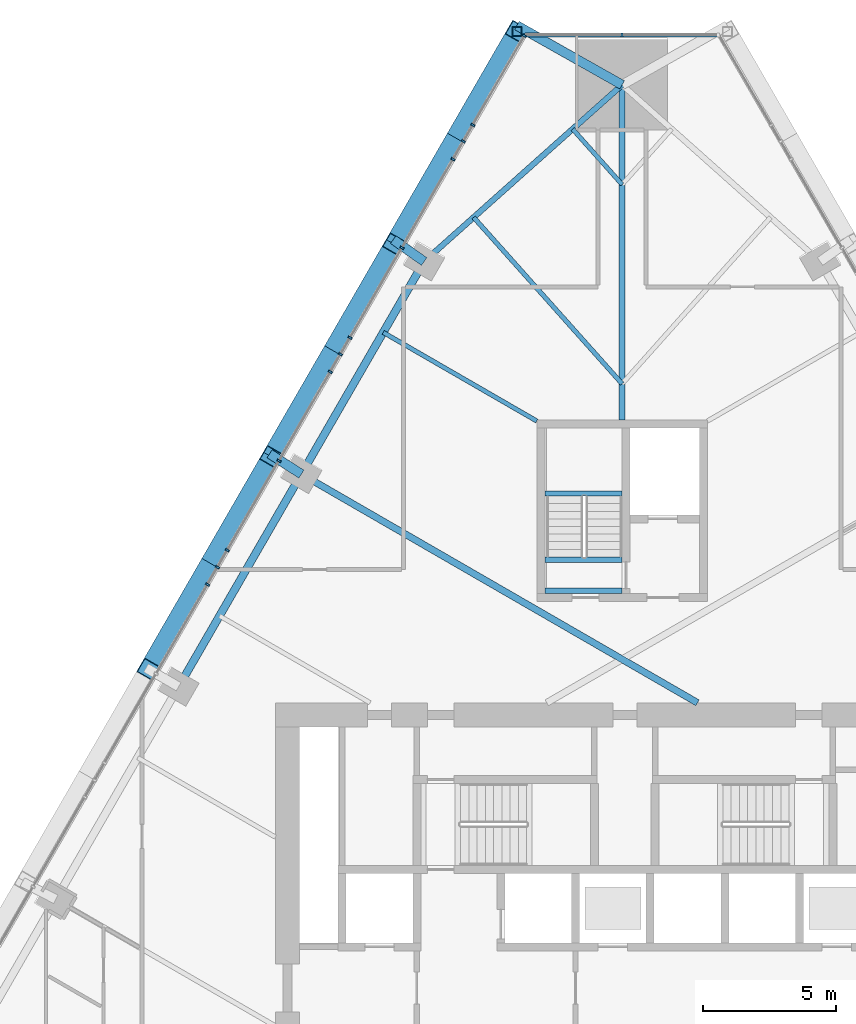
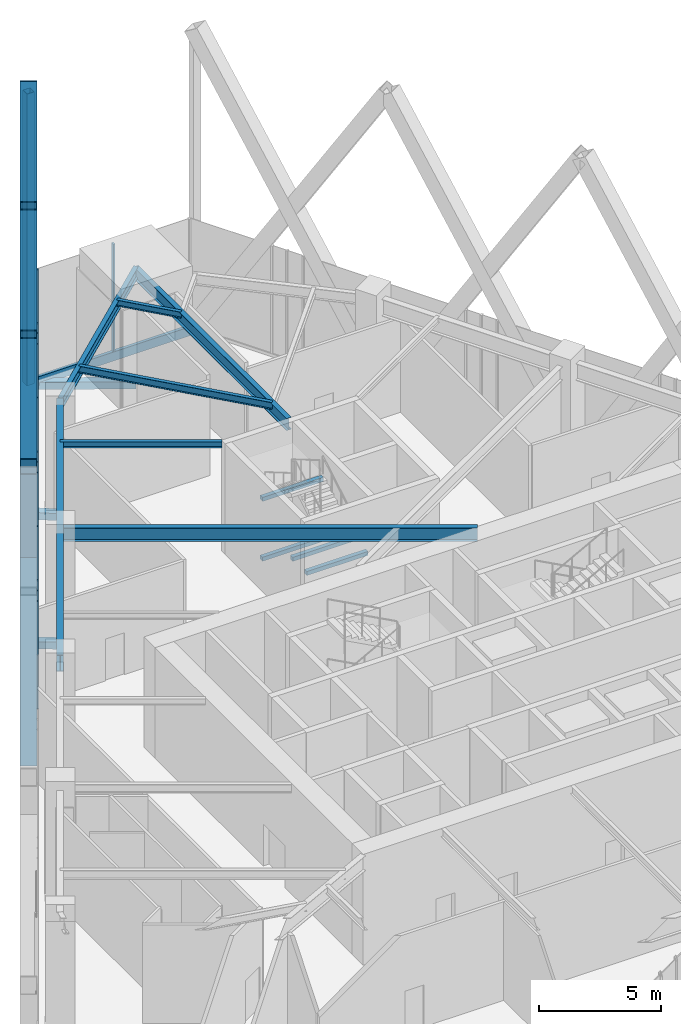
# One storey, part 9 of 21: 24 members, 11 beams, 2 elements without a shape of their own.
"""IFC4 building model written with IfcOpenShell, lengths in metres."""

from ifc_helpers import new_model, si_unit, direction, frame, origin, origin_2d, place, context, subcontext, project, spatial, rectangle, hollow_rectangle, i_section, extrude, material, layer, layer_set, material_profile, profile_set, type_object, element, aggregate, save


model = new_model("IFC4")

# Units and contexts
model_context = context("Model", 3, precision=1e-05, world=origin(), true_north=direction((0.0, 1.0)))
body_context = subcontext(model_context, "Body", "Model", "MODEL_VIEW")
ifc_project = project(units=[si_unit("LENGTHUNIT", "METRE"), si_unit("AREAUNIT", "SQUARE_METRE"), si_unit("VOLUMEUNIT", "CUBIC_METRE"), si_unit("PLANEANGLEUNIT", "RADIAN"), si_unit("MASSUNIT", "GRAM", prefix="KILO")], contexts=[model_context])

# Site, building, storey
site_placement = place(None, origin())
site = spatial("IfcSite", under=ifc_project, at=site_placement, CompositionType="ELEMENT")
building_placement = place(site_placement, origin())
building = spatial("IfcBuilding", under=site, at=building_placement, Name="Firuza Gate Tower and Library", CompositionType="ELEMENT")
storey_placement = place(building_placement, frame((0.0, 0.0, 140.800048828125)))
storey = spatial("IfcBuildingStorey", under=building, at=storey_placement, Name="L32", CompositionType="ELEMENT", Elevation=140.800048828125)

# Members
ifc_material_1 = material(Name="Steel S355", Category="steel")
ifc_material_profile_1 = material_profile(ifc_material_1, hollow_rectangle(XDim=0.699951171875, YDim=0.699951171875, WallThickness=0.030029296875, at=origin_2d()))
ifc_profile_set_1 = profile_set([ifc_material_profile_1], Name="Steel S355")
member_type_1 = type_object("IfcMemberType", Name="BU700x700x30 Lattice brace", PredefinedType="BRACE", material=ifc_profile_set_1)
for number, where, z_axis, x_axis, name in (
    (1, (71.0537109375, 109.171630859375, 0.0), (-0.261560312922, -0.453028121538, 0.852262708206), (0.866021757479, -0.500006315534, 0.0), "Lattice brace W 7.1R"),
    (2, (66.4501953125, 101.1982421875, 0.0), (0.261560312922, 0.453028121538, 0.852262708206), (-0.866021757479, 0.500006315534, 0.0), "Lattice brace W 7.1L"),
    (3, (66.4501953125, 101.1982421875, 0.0), (-0.261549033997, -0.453018740507, 0.852271156126), (0.866026610508, -0.499997909888, 0.0), "Lattice brace W 7.2R"),
    (4, (61.846923828125, 93.22509765625, 0.0), (0.261549033997, 0.453018740507, 0.852271156126), (-0.866026610508, 0.499997909888, 0.0), "Lattice brace W 7.2L"),
    (5, (61.846923828125, 93.22509765625, 0.0), (-0.261560312922, -0.453028121538, 0.852262708206), (0.866021757479, -0.500006315534, 0.0), "Lattice brace W 7.3R"),
    (6, (57.243408203125, 85.251708984375, 0.0), (0.261560312922, 0.453028121538, 0.852262708206), (-0.866021757479, 0.500006315534, 0.0), "Lattice brace W 7.3L"),
):
    element("IfcMember", number, at=place(storey_placement, frame(where, z_axis=z_axis, x_axis=x_axis)), inside=storey, type_object=member_type_1, Name=name, PredefinedType="BRACE", context=body_context, shape_type="SweptSolid", body=[
        extrude(hollow_rectangle(XDim=0.699951171875, YDim=0.699951171875, WallThickness=0.030029296875, at=origin_2d()), origin(), (0.0, 0.0, 1.0), 17.60009765625),
    ])

# Curtain wall, member
ifc_material_2 = material(Name="Aluminium 6063-T6", Category="aluminium")
ifc_layer_1 = layer(ifc_material_2, 0.14990234375)
ifc_layer_set_1 = layer_set([ifc_layer_1], Name="Corner curtain wall, chamfers")
curtain_wall_type_1 = type_object("IfcCurtainWallType", Name="Corner curtain wall, chamfers", PredefinedType="NOTDEFINED", material=ifc_layer_set_1)
placement = place(storey_placement, origin())
curtain_wall_1 = element("IfcCurtainWall", 7, at=placement, inside=storey, type_object=curtain_wall_type_1, Name="CW4 L32 N corner", PredefinedType="NOTDEFINED")
ifc_material_3 = material(Name="Aluminium 6063-T6", Category="aluminium")
ifc_material_profile_2 = material_profile(ifc_material_3, rectangle(XDim=0.14990234375, YDim=0.080078125, at=origin_2d()))
ifc_profile_set_2 = profile_set([ifc_material_profile_2], Name="Aluminium 6063-T6")
member_type_2 = type_object("IfcMemberType", Name="Curtain wall mullion 80x150", PredefinedType="MULLION", material=ifc_profile_set_2)
member_1_placement = place(storey_placement, frame((75.0, 109.046630859375, 0.14990234375), z_axis=(0.0, 0.0, 1.0), x_axis=(0.0, -1.0, 0.0)))
member_1 = element("IfcMember", 8, at=member_1_placement, type_object=member_type_2, Name="Mullion", PredefinedType="MULLION", context=body_context, shape_type="SweptSolid", body=[
    extrude(rectangle(XDim=0.14990234375, YDim=0.080078125, at=origin_2d()), origin(), (0.0, 0.0, 1.0), 5.400146484375),
])

# Curtain wall, members
ifc_material_4 = material(Name="Aluminium 6063-T6", Category="aluminium")
ifc_layer_2 = layer(ifc_material_4, 0.14990234375)
ifc_layer_set_2 = layer_set([ifc_layer_2], Name="Unitised curtain wall, offices")
curtain_wall_type_2 = type_object("IfcCurtainWallType", Name="Unitised curtain wall, offices", PredefinedType="NOTDEFINED", material=ifc_layer_set_2)
curtain_wall_2 = element("IfcCurtainWall", 9, at=placement, inside=storey, type_object=curtain_wall_type_2, Name="CW1 L32 W face", PredefinedType="NOTDEFINED")
member_2_placement = place(storey_placement, frame((71.336669921875, 109.011962890625, 0.14990234375), z_axis=(0.0, 0.0, 1.0), x_axis=(0.866025403784, -0.5, 0.0)))
member_2 = element("IfcMember", 10, at=member_2_placement, type_object=member_type_2, Name="Mullion", PredefinedType="MULLION", context=body_context, shape_type="SweptSolid", body=[
    extrude(rectangle(XDim=0.14990234375, YDim=0.080078125, at=origin_2d()), origin(), (0.0, 0.0, 1.0), 5.400146484375),
])
member_3_placement = place(storey_placement, frame((69.051513671875, 105.0537109375, 0.14990234375), z_axis=(0.0, 0.0, 1.0), x_axis=(0.866025403784, -0.5, 0.0)))
member_3 = element("IfcMember", 11, at=member_3_placement, type_object=member_type_2, Name="Mullion", PredefinedType="MULLION", context=body_context, shape_type="SweptSolid", body=[
    extrude(rectangle(XDim=0.14990234375, YDim=0.080078125, at=origin_2d()), origin(), (0.0, 0.0, 1.0), 5.400146484375),
])
member_4_placement = place(storey_placement, frame((66.74609375, 101.060791015625, 0.14990234375), z_axis=(0.0, 0.0, 1.0), x_axis=(0.866025403784, -0.5, 0.0)))
member_4 = element("IfcMember", 12, at=member_4_placement, type_object=member_type_2, Name="Mullion", PredefinedType="MULLION", context=body_context, shape_type="SweptSolid", body=[
    extrude(rectangle(XDim=0.14990234375, YDim=0.080078125, at=origin_2d()), origin(), (0.0, 0.0, 1.0), 5.400146484375),
])
member_5_placement = place(storey_placement, frame((64.44091796875, 97.06787109375, 0.14990234375), z_axis=(0.0, 0.0, 1.0), x_axis=(0.866025403784, -0.5, 0.0)))
member_5 = element("IfcMember", 13, at=member_5_placement, type_object=member_type_2, Name="Mullion", PredefinedType="MULLION", context=body_context, shape_type="SweptSolid", body=[
    extrude(rectangle(XDim=0.14990234375, YDim=0.080078125, at=origin_2d()), origin(), (0.0, 0.0, 1.0), 5.400146484375),
])
member_6_placement = place(storey_placement, frame((62.135498046875, 93.074951171875, 0.14990234375), z_axis=(0.0, 0.0, 1.0), x_axis=(0.866025403784, -0.5, 0.0)))
member_6 = element("IfcMember", 14, at=member_6_placement, type_object=member_type_2, Name="Mullion", PredefinedType="MULLION", context=body_context, shape_type="SweptSolid", body=[
    extrude(rectangle(XDim=0.14990234375, YDim=0.080078125, at=origin_2d()), origin(), (0.0, 0.0, 1.0), 5.400146484375),
])
member_7_placement = place(storey_placement, frame((59.830322265625, 89.08203125, 0.14990234375), z_axis=(0.0, 0.0, 1.0), x_axis=(0.866025403784, -0.5, 0.0)))
member_7 = element("IfcMember", 15, at=member_7_placement, type_object=member_type_2, Name="Mullion", PredefinedType="MULLION", context=body_context, shape_type="SweptSolid", body=[
    extrude(rectangle(XDim=0.14990234375, YDim=0.080078125, at=origin_2d()), origin(), (0.0, 0.0, 1.0), 5.400146484375),
])
member_8_placement = place(storey_placement, frame((69.404052734375, 105.664306640625, 0.14990234375), z_axis=(0.0, 0.0, 1.0), x_axis=(0.866025403784, -0.5, 0.0)))
member_8 = element("IfcMember", 16, at=member_8_placement, type_object=member_type_2, Name="Mullion", PredefinedType="MULLION", context=body_context, shape_type="SweptSolid", body=[
    extrude(rectangle(XDim=0.14990234375, YDim=0.080078125, at=origin_2d()), origin(), (0.0, 0.0, 1.0), 5.400146484375),
])
member_9_placement = place(storey_placement, frame((68.662841796875, 104.380615234375, 0.14990234375), z_axis=(0.0, 0.0, 1.0), x_axis=(0.866025403784, -0.5, 0.0)))
member_9 = element("IfcMember", 17, at=member_9_placement, type_object=member_type_2, Name="Mullion", PredefinedType="MULLION", context=body_context, shape_type="SweptSolid", body=[
    extrude(rectangle(XDim=0.14990234375, YDim=0.080078125, at=origin_2d()), origin(), (0.0, 0.0, 1.0), 5.400146484375),
])
member_10_placement = place(storey_placement, frame((64.800537109375, 97.691162109375, 0.14990234375), z_axis=(0.0, 0.0, 1.0), x_axis=(0.866025403784, -0.5, 0.0)))
member_10 = element("IfcMember", 18, at=member_10_placement, type_object=member_type_2, Name="Mullion", PredefinedType="MULLION", context=body_context, shape_type="SweptSolid", body=[
    extrude(rectangle(XDim=0.14990234375, YDim=0.080078125, at=origin_2d()), origin(), (0.0, 0.0, 1.0), 5.400146484375),
])
member_11_placement = place(storey_placement, frame((64.059326171875, 96.4072265625, 0.14990234375), z_axis=(0.0, 0.0, 1.0), x_axis=(0.866025403784, -0.5, 0.0)))
member_11 = element("IfcMember", 19, at=member_11_placement, type_object=member_type_2, Name="Mullion", PredefinedType="MULLION", context=body_context, shape_type="SweptSolid", body=[
    extrude(rectangle(XDim=0.14990234375, YDim=0.080078125, at=origin_2d()), origin(), (0.0, 0.0, 1.0), 5.400146484375),
])
member_12_placement = place(storey_placement, frame((60.197265625, 89.7177734375, 0.14990234375), z_axis=(0.0, 0.0, 1.0), x_axis=(0.866025403784, -0.5, 0.0)))
member_12 = element("IfcMember", 20, at=member_12_placement, type_object=member_type_2, Name="Mullion", PredefinedType="MULLION", context=body_context, shape_type="SweptSolid", body=[
    extrude(rectangle(XDim=0.14990234375, YDim=0.080078125, at=origin_2d()), origin(), (0.0, 0.0, 1.0), 5.400146484375),
])
member_13_placement = place(storey_placement, frame((59.4560546875, 88.43408203125, 0.14990234375), z_axis=(0.0, 0.0, 1.0), x_axis=(0.866025403784, -0.5, 0.0)))
member_13 = element("IfcMember", 21, at=member_13_placement, type_object=member_type_2, Name="Mullion", PredefinedType="MULLION", context=body_context, shape_type="SweptSolid", body=[
    extrude(rectangle(XDim=0.14990234375, YDim=0.080078125, at=origin_2d()), origin(), (0.0, 0.0, 1.0), 5.400146484375),
])
aggregate(curtain_wall_2, [member_2, member_3, member_4, member_5, member_6, member_7, member_8, member_9, member_10, member_11, member_12, member_13])

# Member
ifc_material_5 = material(Name="Aluminium 6063-T6", Category="aluminium")
ifc_material_profile_3 = material_profile(ifc_material_5, rectangle(XDim=0.14990234375, YDim=0.449951171875, at=origin_2d()))
ifc_profile_set_3 = profile_set([ifc_material_profile_3], Name="Aluminium 6063-T6")
member_type_3 = type_object("IfcMemberType", Name="Curtain wall transom 450x150", PredefinedType="USERDEFINED", material=ifc_profile_set_3)
member_14_placement = place(storey_placement, frame((78.643310546875, 109.046630859375, -0.074951171875), z_axis=(-1.0, 0.0, 0.0), x_axis=(0.0, -1.0, 0.0)))
member_14 = element("IfcMember", 22, at=member_14_placement, type_object=member_type_3, Name="Transom", ObjectType="TRANSOM", PredefinedType="USERDEFINED", context=body_context, shape_type="SweptSolid", body=[
    extrude(rectangle(XDim=0.14990234375, YDim=0.449951171875, at=origin_2d()), origin(), (0.0, 0.0, 1.0), 7.28662109375),
])

aggregate(curtain_wall_1, [member_1, member_14])

# Members
ifc_material_6 = material(Name="Steel S355", Category="steel")
ifc_material_profile_4 = material_profile(ifc_material_6, hollow_rectangle(XDim=0.355712890625, YDim=0.355712890625, WallThickness=0.014892578125, at=origin_2d()))
ifc_profile_set_4 = profile_set([ifc_material_profile_4], Name="Steel S355")
member_type_4 = type_object("IfcMemberType", Name="HSS356x356x16 Lattice corner stile", PredefinedType="BRACE", material=ifc_profile_set_4)
member_15_placement = place(storey_placement, frame((71.0537109375, 109.171630859375, -0.14013671875), z_axis=(0.0, 0.0, 1.0), x_axis=(1.0, 0.0, 0.0)))
element("IfcMember", 23, at=member_15_placement, inside=storey, type_object=member_type_4, Name="Lattice corner stile W 7.A", PredefinedType="BRACE", context=body_context, shape_type="SweptSolid", body=[
    extrude(hollow_rectangle(XDim=0.355712890625, YDim=0.355712890625, WallThickness=0.014892578125, at=origin_2d()), origin(), (0.0, 0.0, 1.0), 14.64013671875),
])
ifc_material_7 = material(Name="Steel S355", Category="steel")
ifc_material_profile_5 = material_profile(ifc_material_7, hollow_rectangle(XDim=0.355712890625, YDim=0.355712890625, WallThickness=0.014892578125, at=origin_2d()))
ifc_profile_set_5 = profile_set([ifc_material_profile_5], Name="Steel S355")
member_type_5 = type_object("IfcMemberType", Name="HSS356x356x16 Lattice node tie", PredefinedType="BRACE", material=ifc_profile_set_5)
member_16_placement = place(storey_placement, frame((62.97265625, 92.574951171875, -0.320068359375), z_axis=(-0.84189521683, 0.539641032427, 0.0), x_axis=(-0.539641032427, -0.84189521683, 0.0)))
element("IfcMember", 24, at=member_16_placement, inside=storey, type_object=member_type_5, Name="Lattice node tie W L32 145", PredefinedType="BRACE", context=body_context, shape_type="SweptSolid", body=[
    extrude(hollow_rectangle(XDim=0.355712890625, YDim=0.355712890625, WallThickness=0.014892578125, at=origin_2d()), origin(), (0.0, 0.0, 1.0), 1.4150390625),
])
member_17_placement = place(storey_placement, frame((67.576171875, 100.54833984375, -0.320068359375), z_axis=(-0.816166405739, 0.577816924417, 0.0), x_axis=(-0.577816924417, -0.816166405739, 0.0)))
element("IfcMember", 25, at=member_17_placement, inside=storey, type_object=member_type_5, Name="Lattice node tie W L32 146", PredefinedType="BRACE", context=body_context, shape_type="SweptSolid", body=[
    extrude(hollow_rectangle(XDim=0.355712890625, YDim=0.355712890625, WallThickness=0.014892578125, at=origin_2d()), origin(), (0.0, 0.0, 1.0), 1.419677734375),
])
member_18_placement = place(storey_placement, frame((75.0, 107.171630859375, -0.320068359375), z_axis=(-0.87088977596, 0.491478380123, 0.0), x_axis=(-0.491478380123, -0.87088977596, 0.0)))
element("IfcMember", 26, at=member_18_placement, inside=storey, type_object=member_type_5, Name="Lattice node tie W L32 147", PredefinedType="BRACE", context=body_context, shape_type="SweptSolid", body=[
    extrude(hollow_rectangle(XDim=0.355712890625, YDim=0.355712890625, WallThickness=0.014892578125, at=origin_2d()), origin(), (0.0, 0.0, 1.0), 4.53125),
])

# Beams
ifc_material_8 = material(Name="Concrete C35/45", Category="concrete")
ifc_material_profile_6 = material_profile(ifc_material_8, rectangle(XDim=0.199951171875, YDim=0.199951171875, at=origin_2d()))
ifc_profile_set_6 = profile_set([ifc_material_profile_6], Name="Concrete C35/45")
beam_type_1 = type_object("IfcBeamType", Name="Stair landing bearer 200x200", PredefinedType="BEAM", material=ifc_profile_set_6)
for number, where, z_axis, x_axis, name in (
    (27, (75.0, 91.85009765625, 1.199951171875), (-1.0, 0.0, 0.0), (0.0, -1.0, 0.0), "Landing bearer L32 stair 3"),
    (28, (75.0, 89.3701171875, 2.699951171875), (-1.0, 0.0, 0.0), (0.0, -1.0, 0.0), "Landing bearer L32 stair 3"),
    (29, (75.0, 88.199951171875, 2.699951171875), (-1.0, 0.0, 0.0), (0.0, -1.0, 0.0), "Landing bearer L32 stair 3"),
    (30, (75.0, 91.85009765625, 4.199951171875), (-1.0, 0.0, 0.0), (0.0, -1.0, 0.0), "Landing bearer L32 stair 3"),
):
    element("IfcBeam", number, at=place(storey_placement, frame(where, z_axis=z_axis, x_axis=x_axis)), inside=storey, type_object=beam_type_1, Name=name, PredefinedType="BEAM", context=body_context, shape_type="SweptSolid", body=[
        extrude(rectangle(XDim=0.199951171875, YDim=0.199951171875, at=origin_2d()), origin(), (0.0, 0.0, 1.0), 2.89990234375),
    ])
ifc_material_9 = material(Name="Steel S355", Category="steel")
ifc_material_profile_7 = material_profile(ifc_material_9, i_section(OverallWidth=0.1650390625, OverallDepth=0.31005859375, WebThickness=0.005859375, FlangeThickness=0.009765625, at=origin_2d()))
ifc_profile_set_7 = profile_set([ifc_material_profile_7], Name="Steel S355")
beam_type_2 = type_object("IfcBeamType", Name="W310x39 Floor beam", PredefinedType="JOIST", material=ifc_profile_set_7)
beam_1_placement = place(storey_placement, frame((73.14404296875, 105.515625, 5.39501953125), z_axis=(0.665721615165, -0.746200195056, 0.0), x_axis=(0.746200195056, 0.665721615165, 0.0)))
element("IfcBeam", 31, at=beam_1_placement, inside=storey, type_object=beam_type_2, Name="Floor beam L32 s70", PredefinedType="JOIST", context=body_context, shape_type="SweptSolid", body=[
    extrude(i_section(OverallWidth=0.1650390625, OverallDepth=0.31005859375, WebThickness=0.005859375, FlangeThickness=0.009765625, at=origin_2d()), origin(), (0.0, 0.0, 1.0), 2.787841796875),
])
beam_2_placement = place(storey_placement, frame((66.04150390625, 97.890625, 5.39501953125), z_axis=(0.86602478055, -0.500001079473, 0.0), x_axis=(0.500001079473, 0.86602478055, 0.0)))
element("IfcBeam", 32, at=beam_2_placement, inside=storey, type_object=beam_type_2, Name="Floor beam L32 s80", PredefinedType="JOIST", context=body_context, shape_type="SweptSolid", body=[
    extrude(i_section(OverallWidth=0.1650390625, OverallDepth=0.31005859375, WebThickness=0.005859375, FlangeThickness=0.009765625, at=origin_2d()), origin(), (0.0, 0.0, 1.0), 6.6494140625),
])
ifc_material_10 = material(Name="Steel S355", Category="steel")
ifc_material_profile_8 = material_profile(ifc_material_10, i_section(OverallWidth=0.1708984375, OverallDepth=0.35498046875, WebThickness=0.007080078125, FlangeThickness=0.01171875, at=origin_2d()))
ifc_profile_set_8 = profile_set([ifc_material_profile_8], Name="Steel S355")
beam_type_3 = type_object("IfcBeamType", Name="W360x51 Floor beam", PredefinedType="JOIST", material=ifc_profile_set_8)
beam_3_placement = place(storey_placement, frame((69.43212890625, 102.2041015625, 5.37255859375), z_axis=(0.665721615165, -0.746200195056, 0.0), x_axis=(0.746200195056, 0.665721615165, 0.0)))
element("IfcBeam", 33, at=beam_3_placement, inside=storey, type_object=beam_type_3, Name="Floor beam L32 s71", PredefinedType="JOIST", context=body_context, shape_type="SweptSolid", body=[
    extrude(i_section(OverallWidth=0.1708984375, OverallDepth=0.35498046875, WebThickness=0.007080078125, FlangeThickness=0.01171875, at=origin_2d()), origin(), (0.0, 0.0, 1.0), 8.36376953125),
])
ifc_material_11 = material(Name="Steel S355", Category="steel")
ifc_material_profile_9 = material_profile(ifc_material_11, i_section(OverallWidth=0.212890625, OverallDepth=0.5390625, WebThickness=0.01171875, FlangeThickness=0.018798828125, at=origin_2d()))
ifc_profile_set_9 = profile_set([ifc_material_profile_9], Name="Steel S355")
beam_type_4 = type_object("IfcBeamType", Name="W530x109 Edge beam", PredefinedType="SPANDREL", material=ifc_profile_set_9)
beam_4_placement = place(storey_placement, frame((75.0, 107.171630859375, 5.280517578125), z_axis=(-0.74619362423, -0.66572898026, 0.0), x_axis=(0.66572898026, -0.74619362423, 0.0)))
element("IfcBeam", 34, at=beam_4_placement, inside=storey, type_object=beam_type_4, Name="Edge beam L32 e70", PredefinedType="SPANDREL", context=body_context, shape_type="SweptSolid", body=[
    extrude(i_section(OverallWidth=0.212890625, OverallDepth=0.5390625, WebThickness=0.01171875, FlangeThickness=0.018798828125, at=origin_2d()), origin(), (0.0, 0.0, 1.0), 9.948974609375),
])
ifc_material_12 = material(Name="Steel S355", Category="steel")
ifc_material_profile_10 = material_profile(ifc_material_12, i_section(OverallWidth=0.22802734375, OverallDepth=0.60302734375, WebThickness=0.010498046875, FlangeThickness=0.014892578125, at=origin_2d()))
ifc_profile_set_10 = profile_set([ifc_material_profile_10], Name="Steel S355")
beam_type_5 = type_object("IfcBeamType", Name="W610x101 Girder", PredefinedType="BEAM", material=ifc_profile_set_10)
beam_5_placement = place(storey_placement, frame((75.0, 107.171630859375, 5.24853515625), z_axis=(0.0, -1.0, 0.0), x_axis=(1.0, 0.0, 0.0)))
element("IfcBeam", 35, at=beam_5_placement, inside=storey, type_object=beam_type_5, Name="Girder L32 gN", PredefinedType="BEAM", context=body_context, shape_type="SweptSolid", body=[
    extrude(i_section(OverallWidth=0.22802734375, OverallDepth=0.60302734375, WebThickness=0.010498046875, FlangeThickness=0.014892578125, at=origin_2d()), origin(), (0.0, 0.0, 1.0), 12.571533203125),
])
ifc_material_13 = material(Name="Steel S355", Category="steel")
ifc_material_profile_11 = material_profile(ifc_material_13, i_section(OverallWidth=0.2529296875, OverallDepth=0.677978515625, WebThickness=0.01171875, FlangeThickness=0.016357421875, at=origin_2d()))
ifc_profile_set_11 = profile_set([ifc_material_profile_11], Name="Steel S355")
beam_type_6 = type_object("IfcBeamType", Name="W690x125 Floor beam", PredefinedType="JOIST", material=ifc_profile_set_11)
beam_6_placement = place(storey_placement, frame((62.97265625, 92.574951171875, 5.2109375), z_axis=(0.866026042558, -0.49999889361, 0.0), x_axis=(0.49999889361, 0.866026042558, 0.0)))
element("IfcBeam", 36, at=beam_6_placement, inside=storey, type_object=beam_type_6, Name="Floor beam L32 s81", PredefinedType="JOIST", context=body_context, shape_type="SweptSolid", body=[
    extrude(i_section(OverallWidth=0.2529296875, OverallDepth=0.677978515625, WebThickness=0.01171875, FlangeThickness=0.016357421875, at=origin_2d()), origin(), (0.0, 0.0, 1.0), 17.14990234375),
])
ifc_material_14 = material(Name="Steel S355", Category="steel")
ifc_material_profile_12 = material_profile(ifc_material_14, i_section(OverallWidth=0.2919921875, OverallDepth=0.8349609375, WebThickness=0.013916015625, FlangeThickness=0.018798828125, at=origin_2d()))
ifc_profile_set_12 = profile_set([ifc_material_profile_12], Name="Steel S355")
beam_type_7 = type_object("IfcBeamType", Name="W840x176 Edge beam", PredefinedType="SPANDREL", material=ifc_profile_set_12)
beam_7_placement = place(storey_placement, frame((67.576171875, 100.54833984375, 5.132568359375), z_axis=(-0.500002112793, -0.866024183959, 0.0), x_axis=(0.866024183959, -0.500002112793, 0.0)))
element("IfcBeam", 37, at=beam_7_placement, inside=storey, type_object=beam_type_7, Name="Edge beam L32 e80", PredefinedType="SPANDREL", context=body_context, shape_type="SweptSolid", body=[
    extrude(i_section(OverallWidth=0.2919921875, OverallDepth=0.8349609375, WebThickness=0.013916015625, FlangeThickness=0.018798828125, at=origin_2d()), origin(), (0.0, 0.0, 1.0), 18.41357421875),
])

save(model, "model.ifc")
